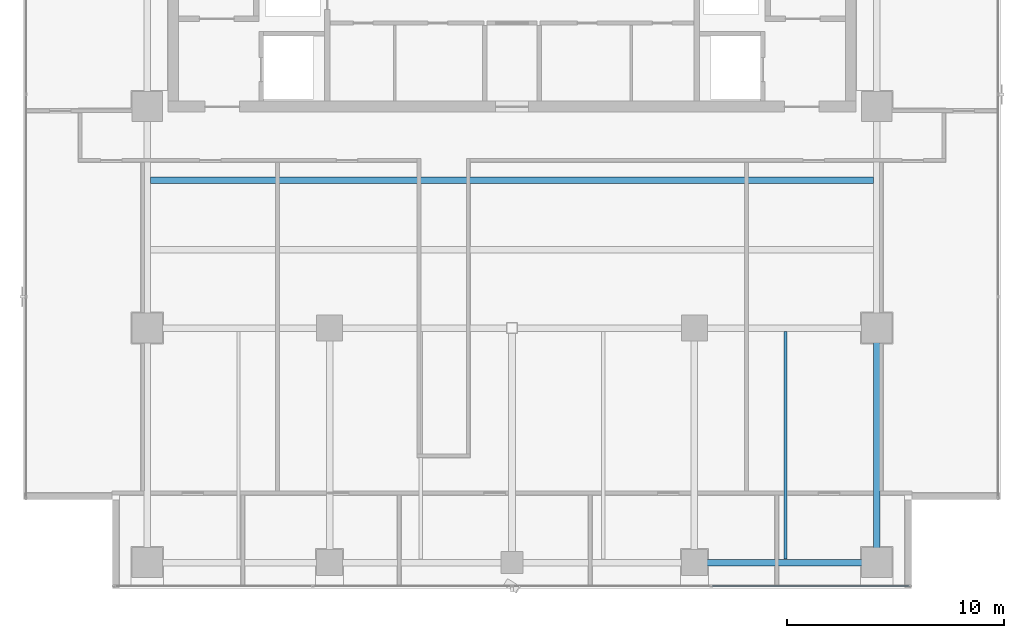
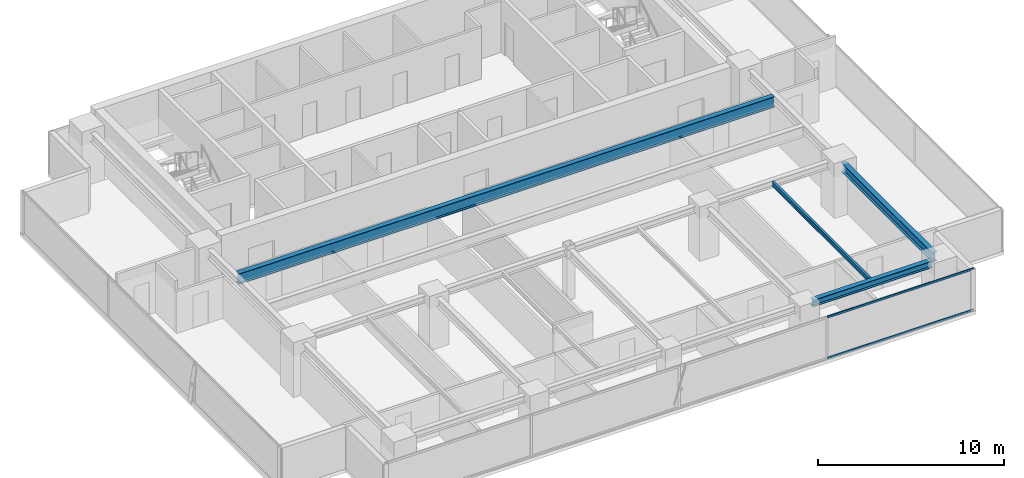
# One storey, part 10 of 26: 4 beams, 2 members, 1 element without a shape of its own.
"""IFC4 building model written with IfcOpenShell, lengths in metres."""

from ifc_helpers import new_model, si_unit, direction, frame, origin, origin_2d, place, context, subcontext, project, spatial, hollow_rectangle, i_section, extrude, source, transform, mapped, material, layer, layer_set, material_profile, profile_set, type_object, element, aggregate, save


model = new_model("IFC4")

# Units and contexts
model_context = context("Model", 3, precision=1e-05, world=origin(), true_north=direction((0.0, 1.0)))
body_context = subcontext(model_context, "Body", "Model", "MODEL_VIEW")
ifc_project = project(units=[si_unit("LENGTHUNIT", "METRE"), si_unit("AREAUNIT", "SQUARE_METRE"), si_unit("VOLUMEUNIT", "CUBIC_METRE"), si_unit("PLANEANGLEUNIT", "RADIAN"), si_unit("MASSUNIT", "GRAM", prefix="KILO")], contexts=[model_context])

# Site, building, storey
site_placement = place(None, origin())
site = spatial("IfcSite", under=ifc_project, at=site_placement, CompositionType="ELEMENT")
building_placement = place(site_placement, origin())
building = spatial("IfcBuilding", under=site, at=building_placement, Name="Sumidabori Civic Tower", CompositionType="ELEMENT")
storey_placement = place(building_placement, frame((0.0, 0.0, 261.199951171875)))
storey = spatial("IfcBuildingStorey", under=building, at=storey_placement, Name="L68", CompositionType="ELEMENT", Elevation=261.199951171875)

# Beams
ifc_material_1 = material(Name="Steel SN490", Category="steel")
ifc_material_profile_1 = material_profile(ifc_material_1, i_section(OverallWidth=0.300048828125, OverallDepth=0.60009765625, WebThickness=0.015380859375, FlangeThickness=0.030029296875, at=origin_2d()), Name="HE 600 B")
ifc_profile_set_1 = profile_set([ifc_material_profile_1], Name="Steel SN490")
beam_type_1 = type_object("IfcBeamType", Name="BM-GIRD-600", PredefinedType="BEAM", material=ifc_profile_set_1)
shared_shape_1 = source(origin(), body_context, "Body", "SweptSolid", [
    extrude(i_section(OverallWidth=0.300048828125, OverallDepth=0.60009765625, WebThickness=0.015380859375, FlangeThickness=0.030029296875, at=origin_2d()), origin(), (0.0, 0.0, 1.0), 9.840087890625),
])
beam_1_placement = place(storey_placement, frame((16.800048828125, -10.320068359375, 3.070068359375), z_axis=(0.0, 1.0, 0.0), x_axis=(-1.0, 0.0, 0.0)))
element("IfcBeam", 1, at=beam_1_placement, inside=storey, type_object=beam_type_1, Name="Primary Girder L68 GY-15", PredefinedType="BEAM", context=body_context, shape_type="MappedRepresentation", body=[
    mapped(shared_shape_1, transform((0.0, 0.0, 0.0), x_axis=(1.0, 0.0, 0.0), y_axis=(0.0, 1.0, 0.0), z_axis=(0.0, 0.0, 1.0), scale=1.0)),
])
ifc_material_profile_2 = material_profile(ifc_material_1, i_section(OverallWidth=0.300048828125, OverallDepth=0.699951171875, WebThickness=0.01708984375, FlangeThickness=0.031982421875, at=origin_2d()), Name="HE 700 B")
ifc_profile_set_2 = profile_set([ifc_material_profile_2], Name="Steel SN490")
beam_type_2 = type_object("IfcBeamType", Name="BM-GIRD-700", PredefinedType="BEAM", material=ifc_profile_set_2)
shared_shape_2 = source(origin(), body_context, "Body", "SweptSolid", [
    extrude(i_section(OverallWidth=0.300048828125, OverallDepth=0.699951171875, WebThickness=0.01708984375, FlangeThickness=0.031982421875, at=origin_2d()), origin(), (0.0, 0.0, 1.0), 33.2998046875),
])
beam_2_placement = place(storey_placement, frame((-16.64990234375, 6.800048828125, 3.02001953125), z_axis=(1.0, 0.0, 0.0), x_axis=(0.0, 1.0, 0.0)))
element("IfcBeam", 2, at=beam_2_placement, inside=storey, type_object=beam_type_2, Name="North Bay Floor Beam L68 JSTN-19", PredefinedType="BEAM", context=body_context, shape_type="MappedRepresentation", body=[
    mapped(shared_shape_2, transform((0.0, 0.0, 0.0), x_axis=(1.0, 0.0, 0.0), y_axis=(0.0, 1.0, 0.0), z_axis=(0.0, 0.0, 1.0), scale=1.0)),
])
ifc_material_profile_3 = material_profile(ifc_material_1, i_section(OverallWidth=0.300048828125, OverallDepth=0.449951171875, WebThickness=0.013916015625, FlangeThickness=0.02587890625, at=origin_2d()), Name="HE 450 B")
ifc_profile_set_3 = profile_set([ifc_material_profile_3], Name="Steel SN490")
beam_type_3 = type_object("IfcBeamType", Name="BM-GIRD-450", PredefinedType="BEAM", material=ifc_profile_set_3)
shared_shape_3 = source(origin(), body_context, "Body", "SweptSolid", [
    extrude(i_section(OverallWidth=0.300048828125, OverallDepth=0.449951171875, WebThickness=0.013916015625, FlangeThickness=0.02587890625, at=origin_2d()), origin(), (0.0, 0.0, 1.0), 7.440185546875),
])
beam_3_placement = place(storey_placement, frame((8.8798828125, -10.800048828125, 3.14501953125), z_axis=(1.0, 0.0, 0.0), x_axis=(0.0, 1.0, 0.0)))
element("IfcBeam", 3, at=beam_3_placement, inside=storey, type_object=beam_type_3, Name="Primary Girder L68 GX-04", PredefinedType="BEAM", context=body_context, shape_type="MappedRepresentation", body=[
    mapped(shared_shape_3, transform((0.0, 0.0, 0.0), x_axis=(1.0, 0.0, 0.0), y_axis=(0.0, 1.0, 0.0), z_axis=(0.0, 0.0, 1.0), scale=1.0)),
])
ifc_material_profile_4 = material_profile(ifc_material_1, i_section(OverallWidth=0.14990234375, OverallDepth=0.300048828125, WebThickness=0.007080078125, FlangeThickness=0.0107421875, at=origin_2d()), Name="IPE 300")
ifc_profile_set_4 = profile_set([ifc_material_profile_4], Name="Steel SN490")
beam_type_4 = type_object("IfcBeamType", Name="BM-JST-300", PredefinedType="JOIST", material=ifc_profile_set_4)
shared_shape_4 = source(origin(), body_context, "Body", "SweptSolid", [
    extrude(i_section(OverallWidth=0.14990234375, OverallDepth=0.300048828125, WebThickness=0.007080078125, FlangeThickness=0.0107421875, at=origin_2d()), origin(), (0.0, 0.0, 1.0), 10.5),
])
beam_4_placement = place(storey_placement, frame((12.60009765625, -10.64990234375, 3.219970703125), z_axis=(0.0, 1.0, 0.0), x_axis=(-1.0, 0.0, 0.0)))
element("IfcBeam", 4, at=beam_4_placement, inside=storey, type_object=beam_type_4, Name="Upper Lens N-S Floor Joist L68 JSTV-23", PredefinedType="JOIST", context=body_context, shape_type="MappedRepresentation", body=[
    mapped(shared_shape_4, transform((0.0, 0.0, 0.0), x_axis=(1.0, 0.0, 0.0), y_axis=(0.0, 1.0, 0.0), z_axis=(0.0, 0.0, 1.0), scale=1.0)),
])

# Curtain wall, members
ifc_material_2 = material(Name="Anodised Bronze Aluminium AW-6063-T6", Category="aluminium")
ifc_layer = layer(ifc_material_2, 0.179931640625, Name="Anodised Bronze Aluminium AW-6063-T6")
ifc_layer_set = layer_set([ifc_layer], Name="Anodised Bronze Aluminium AW-6063-T6")
curtain_wall_type = type_object("IfcCurtainWallType", Name="CW-SYS-5", PredefinedType="NOTDEFINED", material=ifc_layer_set)
curtain_wall_placement = place(storey_placement, origin())
curtain_wall = element("IfcCurtainWall", 5, at=curtain_wall_placement, inside=storey, type_object=curtain_wall_type, Name="Curtain Wall CW:L68:R01", PredefinedType="NOTDEFINED")
ifc_material_profile_5 = material_profile(ifc_material_2, hollow_rectangle(XDim=0.06005859375, YDim=0.1298828125, WallThickness=0.0048828125, at=origin_2d()), Name="ALU TRANSOM 130x60")
ifc_profile_set_5 = profile_set([ifc_material_profile_5], Name="Anodised Bronze Aluminium AW-6063-T6")
member_type = type_object("IfcMemberType", Name="CW-TRN-130", PredefinedType="USERDEFINED", material=ifc_profile_set_5)
shared_shape_5 = source(origin(), body_context, "Body", "SweptSolid", [
    extrude(hollow_rectangle(XDim=0.06005859375, YDim=0.1298828125, WallThickness=0.0048828125, at=origin_2d()), origin(), (0.0, 0.0, 1.0), 9.094970703125),
])
member_1_placement = place(storey_placement, frame((9.215087890625, -11.8798828125, 0.030029296875), z_axis=(1.0, 0.0, 0.0), x_axis=(0.0, 1.0, 0.0)))
member_1 = element("IfcMember", 6, at=member_1_placement, type_object=member_type, Name="CW-5 transom 4.1", ObjectType="TRANSOM", PredefinedType="USERDEFINED", context=body_context, shape_type="MappedRepresentation", body=[
    mapped(shared_shape_5, transform((0.0, 0.0, 0.0), x_axis=(1.0, 0.0, 0.0), y_axis=(0.0, 1.0, 0.0), z_axis=(0.0, 0.0, 1.0), scale=1.0)),
])
member_2_placement = place(storey_placement, frame((9.215087890625, -11.8798828125, 2.719970703125), z_axis=(1.0, 0.0, 0.0), x_axis=(0.0, 1.0, 0.0)))
member_2 = element("IfcMember", 7, at=member_2_placement, type_object=member_type, Name="CW-5 transom 4.2", ObjectType="TRANSOM", PredefinedType="USERDEFINED", context=body_context, shape_type="MappedRepresentation", body=[
    mapped(shared_shape_5, transform((0.0, 0.0, 0.0), x_axis=(1.0, 0.0, 0.0), y_axis=(0.0, 1.0, 0.0), z_axis=(0.0, 0.0, 1.0), scale=1.0)),
])
aggregate(curtain_wall, [member_1, member_2])

save(model, "model.ifc")
